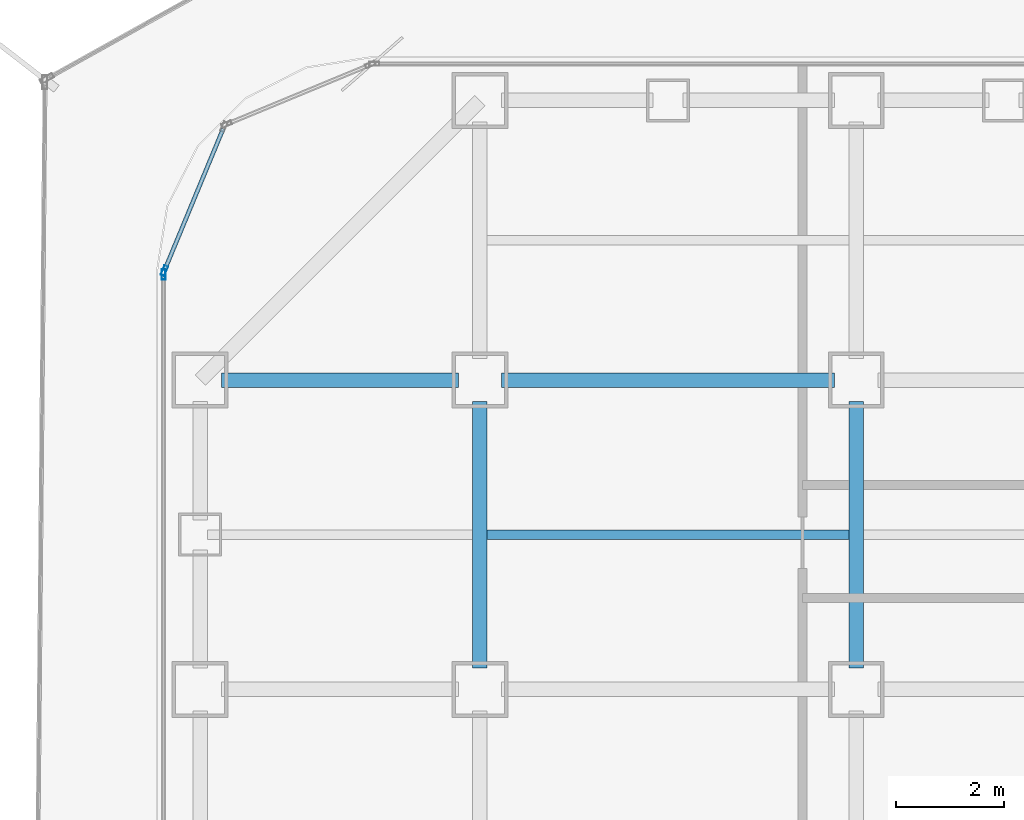
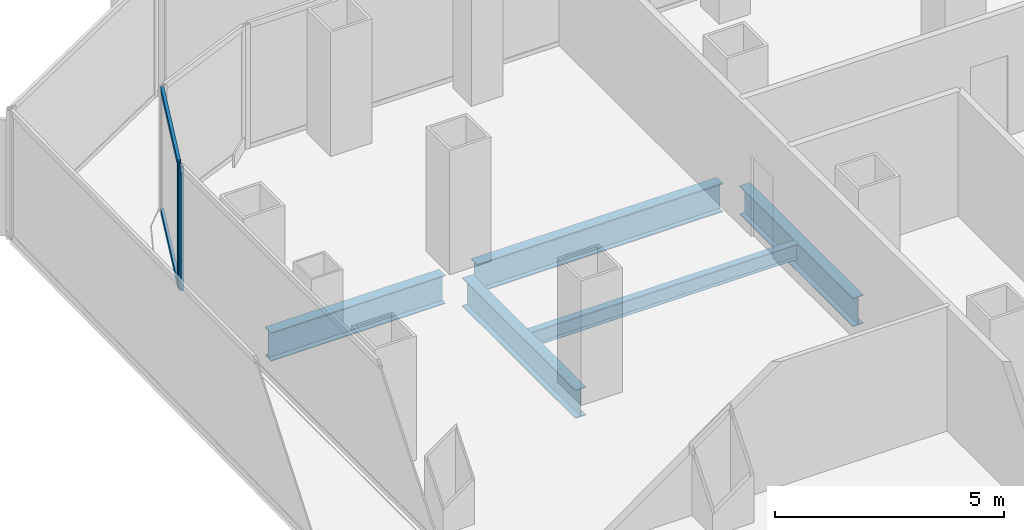
# One storey, part 10 of 21: 5 beams, 4 members, 2 elements without a shape of their own.
"""IFC4 building model written with IfcOpenShell, lengths in metres."""

from ifc_helpers import new_model, si_unit, direction, frame, origin, origin_2d, place, context, subcontext, project, spatial, hollow_rectangle, i_section, extrude, source, transform, mapped, material, layer, layer_set, material_profile, profile_set, type_object, element, aggregate, save


model = new_model("IFC4")

# Units and contexts
model_context = context("Model", 3, precision=1e-05, world=origin(), true_north=direction((0.0, 1.0)))
body_context = subcontext(model_context, "Body", "Model", "MODEL_VIEW")
ifc_project = project(units=[si_unit("LENGTHUNIT", "METRE"), si_unit("AREAUNIT", "SQUARE_METRE"), si_unit("VOLUMEUNIT", "CUBIC_METRE"), si_unit("PLANEANGLEUNIT", "RADIAN"), si_unit("MASSUNIT", "GRAM", prefix="KILO")], contexts=[model_context])

# Site, building, storey
site_placement = place(None, origin())
site = spatial("IfcSite", under=ifc_project, at=site_placement, CompositionType="ELEMENT")
building_placement = place(site_placement, origin())
building = spatial("IfcBuilding", under=site, at=building_placement, Name="Kolveth Station Tower", CompositionType="ELEMENT")
storey_placement = place(building_placement, frame((0.0, 0.0, 58.5)))
storey = spatial("IfcBuildingStorey", under=building, at=storey_placement, Name="L15", CompositionType="ELEMENT", Elevation=58.5)

# Beams
ifc_material_1 = material(Name="Steel S355", Category="steel")
ifc_material_profile_1 = material_profile(ifc_material_1, i_section(OverallWidth=0.26708984375, OverallDepth=0.76611328125, WebThickness=0.014892578125, FlangeThickness=0.023681640625, at=origin_2d()), Name="W760x185")
ifc_profile_set_1 = profile_set([ifc_material_profile_1], Name="Steel S355")
beam_type_1 = type_object("IfcBeamType", Name="Beam_B3", PredefinedType="BEAM", material=ifc_profile_set_1)
shared_shape_1 = source(origin(), body_context, "Body", "SweptSolid", [
    extrude(i_section(OverallWidth=0.26708984375, OverallDepth=0.76611328125, WebThickness=0.014892578125, FlangeThickness=0.023681640625, at=origin_2d()), origin(), (0.0, 0.0, 1.0), 4.400146484375),
])
beam_1_placement = place(storey_placement, frame((1.199951171875, 34.5, -0.6630859375), z_axis=(1.0, 0.0, 0.0), x_axis=(0.0, 1.0, 0.0)))
element("IfcBeam", 1, at=beam_1_placement, inside=storey, type_object=beam_type_1, Name="L15 Primary Girder BM-L15-GY345-1", PredefinedType="BEAM", context=body_context, shape_type="MappedRepresentation", body=[
    mapped(shared_shape_1, transform((0.0, 0.0, 0.0), x_axis=(1.0, 0.0, 0.0), y_axis=(0.0, 1.0, 0.0), z_axis=(0.0, 0.0, 1.0), scale=1.0)),
])
shared_shape_2 = source(origin(), body_context, "Body", "SweptSolid", [
    extrude(i_section(OverallWidth=0.26708984375, OverallDepth=0.76611328125, WebThickness=0.014892578125, FlangeThickness=0.023681640625, at=origin_2d()), origin(), (0.0, 0.0, 1.0), 6.2001953125),
])
beam_2_placement = place(storey_placement, frame((6.39990234375, 34.5, -0.6630859375), z_axis=(1.0, 0.0, 0.0), x_axis=(0.0, 1.0, 0.0)))
element("IfcBeam", 2, at=beam_2_placement, inside=storey, type_object=beam_type_1, Name="L15 Primary Girder BM-L15-GY345-2", PredefinedType="BEAM", context=body_context, shape_type="MappedRepresentation", body=[
    mapped(shared_shape_2, transform((0.0, 0.0, 0.0), x_axis=(1.0, 0.0, 0.0), y_axis=(0.0, 1.0, 0.0), z_axis=(0.0, 0.0, 1.0), scale=1.0)),
])
shared_shape_3 = source(origin(), body_context, "Body", "SweptSolid", [
    extrude(i_section(OverallWidth=0.26708984375, OverallDepth=0.76611328125, WebThickness=0.014892578125, FlangeThickness=0.023681640625, at=origin_2d()), origin(), (0.0, 0.0, 1.0), 4.9501953125),
])
for number, where, z_axis, x_axis, name in (
    (3, (6.0, 29.14990234375, -0.6630859375), (0.0, 1.0, 0.0), (-1.0, 0.0, 0.0), "L15 Primary Girder BM-L15-GX60-6"),
    (4, (13.0, 29.14990234375, -0.6630859375), (0.0, 1.0, 0.0), (-1.0, 0.0, 0.0), "L15 Primary Girder BM-L15-GX130-6"),
):
    element("IfcBeam", number, at=place(storey_placement, frame(where, z_axis=z_axis, x_axis=x_axis)), inside=storey, type_object=beam_type_1, Name=name, PredefinedType="BEAM", context=body_context, shape_type="MappedRepresentation", body=[
        mapped(shared_shape_3, transform((0.0, 0.0, 0.0), x_axis=(1.0, 0.0, 0.0), y_axis=(0.0, 1.0, 0.0), z_axis=(0.0, 0.0, 1.0), scale=1.0)),
    ])
ifc_material_profile_2 = material_profile(ifc_material_1, i_section(OverallWidth=0.177978515625, OverallDepth=0.406982421875, WebThickness=0.0078125, FlangeThickness=0.0126953125, at=origin_2d()), Name="W410x60")
ifc_profile_set_2 = profile_set([ifc_material_profile_2], Name="Steel S355")
beam_type_2 = type_object("IfcBeamType", Name="Beam_J1", PredefinedType="JOIST", material=ifc_profile_set_2)
shared_shape_4 = source(origin(), body_context, "Body", "SweptSolid", [
    extrude(i_section(OverallWidth=0.177978515625, OverallDepth=0.406982421875, WebThickness=0.0078125, FlangeThickness=0.0126953125, at=origin_2d()), origin(), (0.0, 0.0, 1.0), 6.73681640625),
])
beam_3_placement = place(storey_placement, frame((6.131591796875, 31.625, -0.4833984375), z_axis=(1.0, 0.0, 0.0), x_axis=(0.0, 1.0, 0.0)))
element("IfcBeam", 5, at=beam_3_placement, inside=storey, type_object=beam_type_2, Name="L15 Secondary Joist JST-L15-2-6", PredefinedType="JOIST", context=body_context, shape_type="MappedRepresentation", body=[
    mapped(shared_shape_4, transform((0.0, 0.0, 0.0), x_axis=(1.0, 0.0, 0.0), y_axis=(0.0, 1.0, 0.0), z_axis=(0.0, 0.0, 1.0), scale=1.0)),
])

# Curtain wall, member
ifc_material_2 = material(Name="Aluminium 6063-T6 and low-E dark glass", Category="aluminium")
ifc_layer = layer(ifc_material_2, 0.179931640625)
ifc_layer_set = layer_set([ifc_layer], Name="Aluminium 6063-T6 and low-E dark glass")
curtain_wall_type = type_object("IfcCurtainWallType", Name="CurtainWall_CW-Z1", PredefinedType="NOTDEFINED", material=ifc_layer_set)
curtain_wall_1_placement = place(storey_placement, origin())
curtain_wall_1 = element("IfcCurtainWall", 6, at=curtain_wall_1_placement, inside=storey, type_object=curtain_wall_type, Name="L15 Inner Thermal Curtain Wall 8", PredefinedType="NOTDEFINED")
ifc_material_3 = material(Name="Black anodized aluminium 6063-T6", Category="aluminium")
ifc_material_profile_3 = material_profile(ifc_material_3, hollow_rectangle(XDim=0.074951171875, YDim=0.18994140625, WallThickness=0.0048828125, at=origin_2d()), Name="ALU-75x190x5")
ifc_profile_set_3 = profile_set([ifc_material_profile_3], Name="Black anodized aluminium 6063-T6")
member_type_1 = type_object("IfcMemberType", Name="Mullion_ML1", PredefinedType="MULLION", material=ifc_profile_set_3)
shared_shape_5 = source(origin(), body_context, "Body", "SweptSolid", [
    extrude(hollow_rectangle(XDim=0.074951171875, YDim=0.18994140625, WallThickness=0.0048828125, at=origin_2d()), origin(), (0.0, 0.0, 1.0), 3.320068359375),
])
member_1_placement = place(storey_placement, frame((0.13427734375, 36.53466796875, 0.0), z_axis=(0.0, 0.0, 1.0), x_axis=(0.923883857728, -0.382672990201, 0.0)))
member_1 = element("IfcMember", 7, at=member_1_placement, type_object=member_type_1, Name="CW-Z1 mullion 2", PredefinedType="MULLION", context=body_context, shape_type="MappedRepresentation", body=[
    mapped(shared_shape_5, transform((0.0, 0.0, 0.0), x_axis=(1.0, 0.0, 0.0), y_axis=(0.0, 1.0, 0.0), z_axis=(0.0, 0.0, 1.0), scale=1.0)),
])

curtain_wall_2_placement = place(storey_placement, origin())
curtain_wall_2 = element("IfcCurtainWall", 8, at=curtain_wall_2_placement, inside=storey, type_object=curtain_wall_type, Name="L15 Inner Thermal Curtain Wall 9", PredefinedType="NOTDEFINED")
member_2_placement = place(storey_placement, frame((0.1201171875, 36.46240234375, 0.0), z_axis=(0.0, 0.0, 1.0), x_axis=(1.0, 0.0, 0.0)))
member_2 = element("IfcMember", 9, at=member_2_placement, type_object=member_type_1, Name="CW-Z1 mullion 1", PredefinedType="MULLION", context=body_context, shape_type="MappedRepresentation", body=[
    mapped(shared_shape_5, transform((0.0, 0.0, 0.0), x_axis=(1.0, 0.0, 0.0), y_axis=(0.0, 1.0, 0.0), z_axis=(0.0, 0.0, 1.0), scale=1.0)),
])
aggregate(curtain_wall_2, [member_2])

# Member
ifc_material_profile_4 = material_profile(ifc_material_3, hollow_rectangle(XDim=0.074951171875, YDim=0.159912109375, WallThickness=0.0048828125, at=origin_2d()), Name="ALU-75x160x5")
ifc_profile_set_4 = profile_set([ifc_material_profile_4], Name="Black anodized aluminium 6063-T6")
member_type_2 = type_object("IfcMemberType", Name="Transom_TR1", PredefinedType="USERDEFINED", material=ifc_profile_set_4)
shared_shape_6 = source(origin(), body_context, "Body", "SweptSolid", [
    extrude(hollow_rectangle(XDim=0.074951171875, YDim=0.159912109375, WallThickness=0.0048828125, at=origin_2d()), origin(), (0.0, 0.0, 1.0), 2.819580078125),
])
member_3_placement = place(storey_placement, frame((1.227783203125, 39.17431640625, 0.03759765625), z_axis=(-0.382708655389, -0.923869084389, 0.0), x_axis=(0.923869084389, -0.382708655389, 0.0)))
member_3 = element("IfcMember", 10, at=member_3_placement, type_object=member_type_2, Name="CW-Z1 transom 1.1", ObjectType="TRANSOM", PredefinedType="USERDEFINED", context=body_context, shape_type="MappedRepresentation", body=[
    mapped(shared_shape_6, transform((0.0, 0.0, 0.0), x_axis=(1.0, 0.0, 0.0), y_axis=(0.0, 1.0, 0.0), z_axis=(0.0, 0.0, 1.0), scale=1.0)),
])

member_4_placement = place(storey_placement, frame((1.227783203125, 39.17431640625, 3.282470703125), z_axis=(-0.382708655389, -0.923869084389, 0.0), x_axis=(0.923869084389, -0.382708655389, 0.0)))
member_4 = element("IfcMember", 11, at=member_4_placement, type_object=member_type_2, Name="CW-Z1 transom 1.2", ObjectType="TRANSOM", PredefinedType="USERDEFINED", context=body_context, shape_type="MappedRepresentation", body=[
    mapped(shared_shape_6, transform((0.0, 0.0, 0.0), x_axis=(1.0, 0.0, 0.0), y_axis=(0.0, 1.0, 0.0), z_axis=(0.0, 0.0, 1.0), scale=1.0)),
])

aggregate(curtain_wall_1, [member_1, member_3, member_4])

save(model, "model.ifc")
